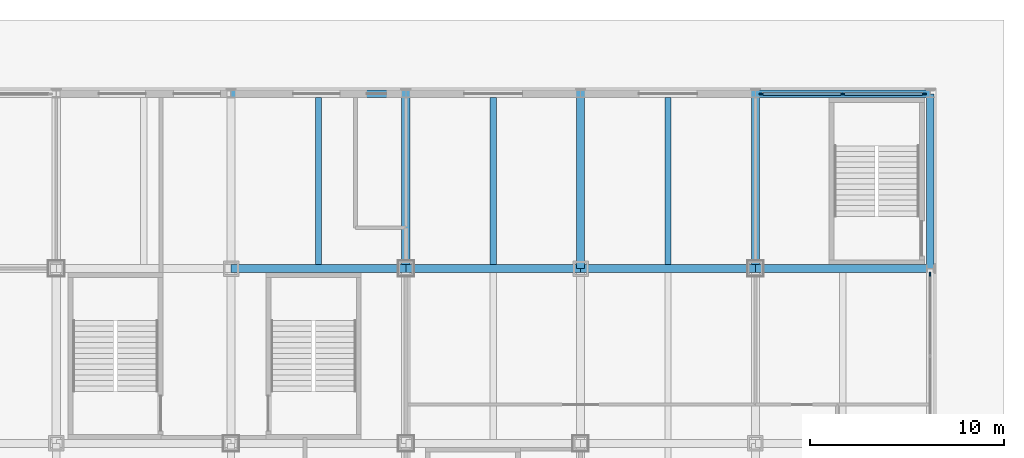
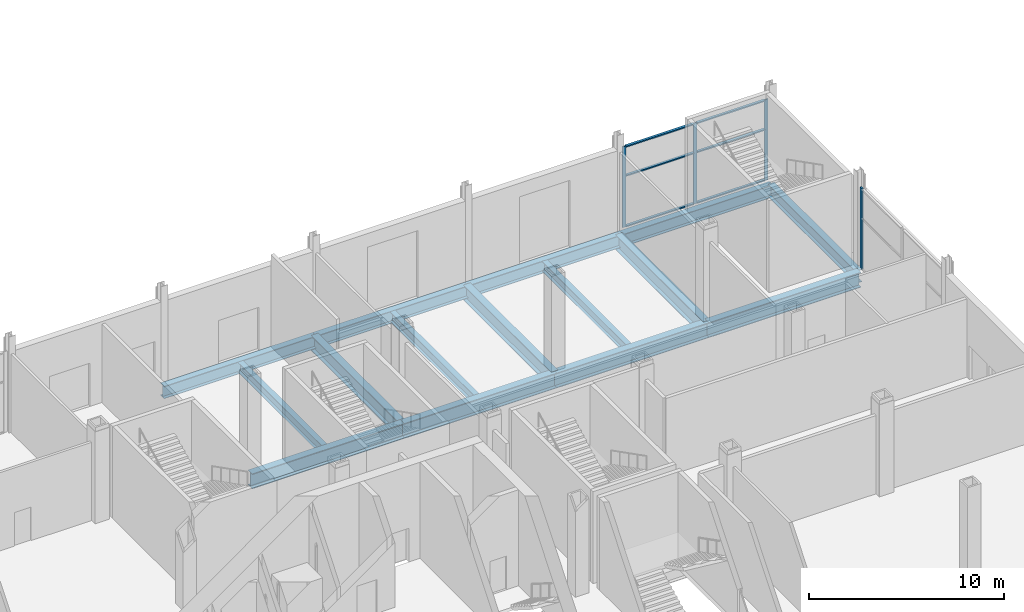
# One storey, part 15 of 34: 15 beams, 10 members, 2 elements without a shape of their own.
"""IFC4 building model written with IfcOpenShell, lengths in metres."""

import ifcopenshell
import ifcopenshell.guid

model = None  # the IFC model being written
_history = None  # IfcOwnerHistory: only IFC2X3 demands one
_inside = {}  # id of a spatial element -> (the spatial element, [elements in it])
_under = {}  # id of a project, library or spatial element -> (it, [spatial elements below it])
_declared = {}  # id of a project -> (the project, [libraries it declares])
_typed = {}  # id of a type object -> (the type object, [elements of that type])
_made_of = {}  # id of a material, layer set ... -> (it, [elements and type objects made of it])


def new_model(schema):
    """Start an empty IFC model of exactly this schema.

    Asked for "IFC4X3", IfcOpenShell would pick the latest addendum, in which some entities
    have other attributes; the version numbers below select the first issue.
    IFC2X3 requires an IfcOwnerHistory on every rooted entity: one is made here for all.
    """
    global model, _history
    if schema == "IFC4X3":
        model = ifcopenshell.file(schema_version=(4, 3, 0, 0))
    else:
        model = ifcopenshell.file(schema=schema)
    _inside.clear()
    _under.clear()
    _declared.clear()
    _typed.clear()
    _made_of.clear()
    _history = None
    if model.schema == "IFC2X3":
        org = make("IfcOrganization", Name="unknown")
        user = make(
            "IfcPersonAndOrganization",
            ThePerson=make("IfcPerson", FamilyName="unknown"),
            TheOrganization=org,
        )
        app = make(
            "IfcApplication",
            ApplicationDeveloper=org,
            Version="unknown",
            ApplicationFullName="unknown",
            ApplicationIdentifier="unknown",
        )
        _history = make(
            "IfcOwnerHistory",
            OwningUser=user,
            OwningApplication=app,
            ChangeAction="ADDED",
            CreationDate=0,
        )
    return model


def make(cls, **values):
    """One entity of the class cls with the attributes given. An attribute that is None is left unset."""
    return model.create_entity(
        cls, **{name: value for name, value in values.items() if value is not None}
    )


def rooted(cls, **values):
    """An entity with a GlobalId (a new one), such as an element, a storey or a relation."""
    return make(cls, GlobalId=ifcopenshell.guid.new(), OwnerHistory=_history, **values)


def si_unit(unit_type, name, prefix=None):
    """IfcSIUnit, for example si_unit("LENGTHUNIT", "METRE", prefix="MILLI")."""
    return make("IfcSIUnit", UnitType=unit_type, Prefix=prefix, Name=name)


def assignment(units):
    """IfcUnitAssignment: the units of a project."""
    return None if units is None else make("IfcUnitAssignment", Units=units)


def point(xyz):
    """IfcCartesianPoint."""
    return None if xyz is None else make("IfcCartesianPoint", Coordinates=xyz)


def direction(xyz):
    """IfcDirection."""
    return None if xyz is None else make("IfcDirection", DirectionRatios=xyz)


def frame(location, z_axis=None, x_axis=None):
    """IfcAxis2Placement3D, a coordinate frame: its origin and axes. An axis left out is left unset."""
    return make(
        "IfcAxis2Placement3D",
        Location=point(location),
        Axis=direction(z_axis),
        RefDirection=direction(x_axis),
    )


def frame_2d(location, x_axis=None):
    """IfcAxis2Placement2D, a coordinate frame in the plane: its origin and x axis."""
    return make(
        "IfcAxis2Placement2D", Location=point(location), RefDirection=direction(x_axis)
    )


def origin():
    """The frame at (0, 0, 0) with its axes left unset."""
    return frame((0.0, 0.0, 0.0))


def origin_2d():
    """The frame at (0, 0) in the plane with its x axis left unset."""
    return frame_2d((0.0, 0.0))


def place(relative_to, where):
    """IfcLocalPlacement: puts the frame where relative to a parent placement (None: the world)."""
    return make(
        "IfcLocalPlacement", PlacementRelTo=relative_to, RelativePlacement=where
    )


def context(
    kind, dimensions, precision=None, world=None, true_north=None, identifier=None
):
    """IfcGeometricRepresentationContext, for example the 3D "Model" context."""
    return make(
        "IfcGeometricRepresentationContext",
        ContextIdentifier=identifier,
        ContextType=kind,
        CoordinateSpaceDimension=dimensions,
        Precision=precision,
        WorldCoordinateSystem=world,
        TrueNorth=true_north,
    )


def subcontext(parent, identifier, kind, view, scale=None):
    """IfcGeometricRepresentationSubContext, for example "Body" below "Model"."""
    return make(
        "IfcGeometricRepresentationSubContext",
        ContextIdentifier=identifier,
        ContextType=kind,
        ParentContext=parent,
        TargetScale=scale,
        TargetView=view,
    )


def project(units=None, contexts=None):
    """IfcProject with its units and contexts."""
    return rooted(
        "IfcProject",
        Name="project",
        RepresentationContexts=contexts,
        UnitsInContext=assignment(units),
    )


def spatial(cls, under=None, at=None, **own):
    """A site, building, storey or space (cls), placed at a placement, below another one or the project."""
    s = rooted(cls, ObjectPlacement=at, **own)
    if under is not None:
        _under.setdefault(under.id(), (under, []))[1].append(s)
    return s


def profile(cls, at=None, kind="AREA", **sizes):
    """A parametric profile (cls). Its sizes go by their IFC names, for example OverallWidth=200.0."""
    return make(cls, ProfileType=kind, Position=at, **sizes)


def rectangle(**sizes):
    """IfcRectangleProfileDef."""
    return profile("IfcRectangleProfileDef", **sizes)


def i_section(**sizes):
    """IfcIShapeProfileDef."""
    return profile("IfcIShapeProfileDef", **sizes)


def extrude(swept, where, along, depth):
    """IfcExtrudedAreaSolid: the profile swept, set in the frame where, extruded along a direction by depth."""
    return make(
        "IfcExtrudedAreaSolid",
        SweptArea=swept,
        Position=where,
        ExtrudedDirection=direction(along),
        Depth=depth,
    )


def shape(context_of_items, identifier, shape_type, items):
    """IfcShapeRepresentation: the items that make up one representation, for example the "Body"."""
    return make(
        "IfcShapeRepresentation",
        ContextOfItems=context_of_items,
        RepresentationIdentifier=identifier,
        RepresentationType=shape_type,
        Items=items,
    )


def material(Name=None, Category=None):
    """IfcMaterial."""
    return make("IfcMaterial", Name=Name, Category=Category)


def material_profile(
    of_material, cross_section, Name=None, Category=None, Priority=None
):
    """IfcMaterialProfile: a cross section and its material."""
    return make(
        "IfcMaterialProfile",
        Name=Name,
        Material=of_material,
        Profile=cross_section,
        Priority=Priority,
        Category=Category,
    )


def profile_set(profiles, Name=None, composite=None):
    """IfcMaterialProfileSet."""
    return make(
        "IfcMaterialProfileSet",
        Name=Name,
        MaterialProfiles=profiles,
        CompositeProfile=composite,
    )


def made_of(thing, what):
    """Note that an element or type object is made of a material, layer set ...; save() writes the relation."""
    if what is not None:
        _made_of.setdefault(what.id(), (what, []))[1].append(thing)
    return thing


def type_object(cls, material=None, **own):
    """A type object (cls), such as IfcWallType, which elements share."""
    return made_of(rooted(cls, **own), material)


def element(
    cls,
    number,
    at=None,
    inside=None,
    cuts=None,
    type_object=None,
    material=None,
    context=None,
    identifier="Body",
    shape_type=None,
    held_by="IfcProductDefinitionShape",
    body=None,
    shapes=None,
    **own,
):
    """One element of the class cls, such as IfcWall. Its Tag is "e" and its number.

    at: its placement. inside: the storey or other place that contains it. cuts: it is an
    opening in that element (IfcRelVoidsElement). A single representation is given by context,
    identifier, shape_type and body (its items); several are given by shapes. held_by: the class
    of the entity that holds the representations. save() writes the other relations.
    """
    e = rooted(cls, Tag="e%d" % number, ObjectPlacement=at, **own)
    if body is not None:
        shapes = [shape(context, identifier, shape_type, body)]
    if shapes is not None:
        e.Representation = make(held_by, Representations=shapes)
    if inside is not None:
        _inside.setdefault(inside.id(), (inside, []))[1].append(e)
    if cuts is not None:
        rooted(
            "IfcRelVoidsElement", RelatingBuildingElement=cuts, RelatedOpeningElement=e
        )
    if type_object is not None:
        _typed.setdefault(type_object.id(), (type_object, []))[1].append(e)
    return made_of(e, material)


def aggregate(whole, parts):
    """IfcRelAggregates: a whole, such as a stair, and the parts it consists of."""
    return rooted("IfcRelAggregates", RelatingObject=whole, RelatedObjects=parts)


def save(model, path):
    """Write the relations noted so far, then the file.

    IfcRelAggregates (storeys below a building ...), IfcRelContainedInSpatialStructure (elements
    in a storey), IfcRelDefinesByType, IfcRelAssociatesMaterial and IfcRelDeclares: one each for
    every whole, place, type object, material and project.
    """
    for whole, parts in _under.values():
        aggregate(whole, parts)
    for where, things in _inside.values():
        rooted(
            "IfcRelContainedInSpatialStructure",
            RelatedElements=things,
            RelatingStructure=where,
        )
    for kind, things in _typed.values():
        rooted("IfcRelDefinesByType", RelatedObjects=things, RelatingType=kind)
    for what, things in _made_of.values():
        rooted("IfcRelAssociatesMaterial", RelatedObjects=things, RelatingMaterial=what)
    for by, libraries in _declared.values():
        rooted("IfcRelDeclares", RelatingContext=by, RelatedDefinitions=libraries)
    model.write(path)


model = new_model("IFC4")

# Units and contexts
model_context = context("Model", 3, precision=1e-05, world=origin(), true_north=direction((0.0, 1.0)))
body_context = subcontext(model_context, "Body", "Model", "MODEL_VIEW")
ifc_project = project(units=[si_unit("LENGTHUNIT", "METRE"), si_unit("AREAUNIT", "SQUARE_METRE"), si_unit("VOLUMEUNIT", "CUBIC_METRE"), si_unit("PLANEANGLEUNIT", "RADIAN"), si_unit("MASSUNIT", "GRAM", prefix="KILO")], contexts=[model_context])

# Site, building, storey
site_placement = place(None, origin())
site = spatial("IfcSite", under=ifc_project, at=site_placement, CompositionType="ELEMENT")
building_placement = place(site_placement, origin())
building = spatial("IfcBuilding", under=site, at=building_placement, Name="Loomwork Tower", CompositionType="ELEMENT")
storey_placement = place(building_placement, origin())
storey = spatial("IfcBuildingStorey", under=building, at=storey_placement, Name="L00", CompositionType="ELEMENT", Elevation=0.0)

# Beams
ifc_material_1 = material(Name="Steel ASTM A992", Category="steel")
ifc_material_profile_1 = material_profile(ifc_material_1, i_section(OverallWidth=0.381103515625, OverallDepth=0.77978515625, WebThickness=0.01806640625, FlangeThickness=0.0302734375, at=origin_2d()), Name="W30x191")
ifc_profile_set_1 = profile_set([ifc_material_profile_1], Name="Steel ASTM A992")
beam_type_1 = type_object("IfcBeamType", Name="EDGE GIRDER W30x191", PredefinedType="BEAM", material=ifc_profile_set_1)
for number, where, z_axis, x_axis, name in (
    (1, (27.0, 45.0, -0.68994140625), (1.0, 0.0, 0.0), (0.0, 1.0, 0.0), "Edge Girder J/5-J/6 L00"),
    (2, (36.0, 45.0, -0.68994140625), (1.0, 0.0, 0.0), (0.0, 1.0, 0.0), "Edge Girder J/6-J/7 L00"),
    (3, (45.0, 45.0, -0.68994140625), (1.0, 0.0, 0.0), (0.0, 1.0, 0.0), "Edge Girder J/7-J/8 L00"),
    (4, (54.0, 45.0, -0.68994140625), (1.0, 0.0, 0.0), (0.0, 1.0, 0.0), "Edge Girder J/8-J/9 L00"),
    (5, (63.0, 36.0, -0.68994140625), (0.0, 1.0, 0.0), (-1.0, 0.0, 0.0), "Edge Girder H/9-J/9 L00"),
):
    element("IfcBeam", number, at=place(storey_placement, frame(where, z_axis=z_axis, x_axis=x_axis)), inside=storey, type_object=beam_type_1, Name=name, PredefinedType="BEAM", context=body_context, shape_type="SweptSolid", body=[
        extrude(i_section(OverallWidth=0.381103515625, OverallDepth=0.77978515625, WebThickness=0.01806640625, FlangeThickness=0.0302734375, at=origin_2d()), origin(), (0.0, 0.0, 1.0), 9.0),
    ])
ifc_material_2 = material(Name="Steel ASTM A992", Category="steel")
ifc_material_profile_2 = material_profile(ifc_material_2, i_section(OverallWidth=0.3251953125, OverallDepth=0.612060546875, WebThickness=0.0126953125, FlangeThickness=0.01904296875, at=origin_2d()), Name="W24x104")
ifc_profile_set_2 = profile_set([ifc_material_profile_2], Name="Steel ASTM A992")
beam_type_2 = type_object("IfcBeamType", Name="FLOOR JOIST W24x104", PredefinedType="JOIST", material=ifc_profile_set_2)
for number, where, z_axis, x_axis, name in (
    (6, (31.5, 36.2119140625, -0.60595703125), (0.0, 1.0, 0.0), (-1.0, 0.0, 0.0), "Floor Joist 31.500,36.000-31.500,45.000 L00"),
    (7, (40.5, 36.2119140625, -0.60595703125), (0.0, 1.0, 0.0), (-1.0, 0.0, 0.0), "Floor Joist 40.500,36.000-40.500,45.000 L00"),
    (8, (49.5, 36.2119140625, -0.60595703125), (0.0, 1.0, 0.0), (-1.0, 0.0, 0.0), "Floor Joist 49.500,36.000-49.500,45.000 L00"),
):
    element("IfcBeam", number, at=place(storey_placement, frame(where, z_axis=z_axis, x_axis=x_axis)), inside=storey, type_object=beam_type_2, Name=name, PredefinedType="JOIST", context=body_context, shape_type="SweptSolid", body=[
        extrude(i_section(OverallWidth=0.3251953125, OverallDepth=0.612060546875, WebThickness=0.0126953125, FlangeThickness=0.01904296875, at=origin_2d()), origin(), (0.0, 0.0, 1.0), 8.59814453125),
    ])

# Curtain wall, members
ifc_material_3 = material(Name="Aluminium storefront frame", Category="aluminium")
curtain_wall_type = type_object("IfcCurtainWallType", Name="Storefront glazing", PredefinedType="NOTDEFINED", material=ifc_material_3)
curtain_wall_1_placement = place(storey_placement, origin())
curtain_wall_1 = element("IfcCurtainWall", 9, at=curtain_wall_1_placement, inside=storey, type_object=curtain_wall_type, Name="Storefront glazing cw/N-54", PredefinedType="NOTDEFINED")
ifc_material_4 = material(Name="Aluminium storefront frame", Category="aluminium")
ifc_material_profile_3 = material_profile(ifc_material_4, rectangle(XDim=0.074951171875, YDim=0.199951171875, at=origin_2d()), Name="AL 75x200")
ifc_profile_set_3 = profile_set([ifc_material_profile_3], Name="Aluminium storefront frame")
member_type_1 = type_object("IfcMemberType", Name="Storefront glazing mullion", PredefinedType="MULLION", material=ifc_profile_set_3)
member_1_placement = place(storey_placement, frame((62.69921875, 45.0, 0.0), z_axis=(0.0, 0.0, 1.0), x_axis=(0.0, -1.0, 0.0)))
member_1 = element("IfcMember", 10, at=member_1_placement, type_object=member_type_1, Name="CW7 mullion 1", PredefinedType="MULLION", context=body_context, shape_type="SweptSolid", body=[
    extrude(rectangle(XDim=0.074951171875, YDim=0.199951171875, at=origin_2d()), origin(), (0.0, 0.0, 1.0), 5.053955078125),
])
member_2_placement = place(storey_placement, frame((58.5, 45.0, 0.0), z_axis=(0.0, 0.0, 1.0), x_axis=(0.0, -1.0, 0.0)))
member_2 = element("IfcMember", 11, at=member_2_placement, type_object=member_type_1, Name="CW7 mullion 2", PredefinedType="MULLION", context=body_context, shape_type="SweptSolid", body=[
    extrude(rectangle(XDim=0.074951171875, YDim=0.199951171875, at=origin_2d()), origin(), (0.0, 0.0, 1.0), 5.053955078125),
])
member_3_placement = place(storey_placement, frame((54.30078125, 45.0, 0.0), z_axis=(0.0, 0.0, 1.0), x_axis=(0.0, -1.0, 0.0)))
member_3 = element("IfcMember", 12, at=member_3_placement, type_object=member_type_1, Name="CW7 mullion 3", PredefinedType="MULLION", context=body_context, shape_type="SweptSolid", body=[
    extrude(rectangle(XDim=0.074951171875, YDim=0.199951171875, at=origin_2d()), origin(), (0.0, 0.0, 1.0), 5.053955078125),
])

# Curtain wall, member
curtain_wall_2_placement = place(storey_placement, origin())
curtain_wall_2 = element("IfcCurtainWall", 13, at=curtain_wall_2_placement, inside=storey, type_object=curtain_wall_type, Name="Storefront glazing cw/E-27", PredefinedType="NOTDEFINED")
member_4_placement = place(storey_placement, frame((63.0, 35.69921875, 0.0), z_axis=(0.0, 0.0, 1.0), x_axis=(-1.0, 0.0, 0.0)))
member_4 = element("IfcMember", 14, at=member_4_placement, type_object=member_type_1, Name="CW7 mullion 3", PredefinedType="MULLION", context=body_context, shape_type="SweptSolid", body=[
    extrude(rectangle(XDim=0.074951171875, YDim=0.199951171875, at=origin_2d()), origin(), (0.0, 0.0, 1.0), 5.053955078125),
])
aggregate(curtain_wall_2, [member_4])

# Member
ifc_material_5 = material(Name="Aluminium storefront frame", Category="aluminium")
ifc_material_profile_4 = material_profile(ifc_material_5, rectangle(XDim=0.14990234375, YDim=0.074951171875, at=origin_2d()), Name="AL 75x150")
ifc_profile_set_4 = profile_set([ifc_material_profile_4], Name="Aluminium storefront frame")
member_type_2 = type_object("IfcMemberType", Name="Storefront glazing transom", PredefinedType="USERDEFINED", material=ifc_profile_set_4)
member_5_placement = place(storey_placement, frame((62.599365234375, 45.0, 0.03759765625), z_axis=(-1.0, 0.0, 0.0), x_axis=(0.0, -1.0, 0.0)))
member_5 = element("IfcMember", 15, at=member_5_placement, type_object=member_type_2, Name="CW7 transom 1.1", ObjectType="TRANSOM", PredefinedType="USERDEFINED", context=body_context, shape_type="SweptSolid", body=[
    extrude(rectangle(XDim=0.14990234375, YDim=0.074951171875, at=origin_2d()), origin(), (0.0, 0.0, 1.0), 3.999267578125),
])

member_6_placement = place(storey_placement, frame((62.599365234375, 45.0, 3.199951171875), z_axis=(-1.0, 0.0, 0.0), x_axis=(0.0, -1.0, 0.0)))
member_6 = element("IfcMember", 16, at=member_6_placement, type_object=member_type_2, Name="CW7 transom 1.2", ObjectType="TRANSOM", PredefinedType="USERDEFINED", context=body_context, shape_type="SweptSolid", body=[
    extrude(rectangle(XDim=0.14990234375, YDim=0.074951171875, at=origin_2d()), origin(), (0.0, 0.0, 1.0), 3.999267578125),
])

member_7_placement = place(storey_placement, frame((62.599365234375, 45.0, 5.0166015625), z_axis=(-1.0, 0.0, 0.0), x_axis=(0.0, -1.0, 0.0)))
member_7 = element("IfcMember", 17, at=member_7_placement, type_object=member_type_2, Name="CW7 transom 1.3", ObjectType="TRANSOM", PredefinedType="USERDEFINED", context=body_context, shape_type="SweptSolid", body=[
    extrude(rectangle(XDim=0.14990234375, YDim=0.074951171875, at=origin_2d()), origin(), (0.0, 0.0, 1.0), 3.999267578125),
])

member_8_placement = place(storey_placement, frame((58.39990234375, 45.0, 0.03759765625), z_axis=(-1.0, 0.0, 0.0), x_axis=(0.0, -1.0, 0.0)))
member_8 = element("IfcMember", 18, at=member_8_placement, type_object=member_type_2, Name="CW7 transom 2.1", ObjectType="TRANSOM", PredefinedType="USERDEFINED", context=body_context, shape_type="SweptSolid", body=[
    extrude(rectangle(XDim=0.14990234375, YDim=0.074951171875, at=origin_2d()), origin(), (0.0, 0.0, 1.0), 3.999267578125),
])

member_9_placement = place(storey_placement, frame((58.39990234375, 45.0, 3.199951171875), z_axis=(-1.0, 0.0, 0.0), x_axis=(0.0, -1.0, 0.0)))
member_9 = element("IfcMember", 19, at=member_9_placement, type_object=member_type_2, Name="CW7 transom 2.2", ObjectType="TRANSOM", PredefinedType="USERDEFINED", context=body_context, shape_type="SweptSolid", body=[
    extrude(rectangle(XDim=0.14990234375, YDim=0.074951171875, at=origin_2d()), origin(), (0.0, 0.0, 1.0), 3.999267578125),
])

member_10_placement = place(storey_placement, frame((58.39990234375, 45.0, 5.0166015625), z_axis=(-1.0, 0.0, 0.0), x_axis=(0.0, -1.0, 0.0)))
member_10 = element("IfcMember", 20, at=member_10_placement, type_object=member_type_2, Name="CW7 transom 2.3", ObjectType="TRANSOM", PredefinedType="USERDEFINED", context=body_context, shape_type="SweptSolid", body=[
    extrude(rectangle(XDim=0.14990234375, YDim=0.074951171875, at=origin_2d()), origin(), (0.0, 0.0, 1.0), 3.999267578125),
])

aggregate(curtain_wall_1, [member_1, member_2, member_3, member_5, member_6, member_7, member_8, member_9, member_10])

# Beams
ifc_material_6 = material(Name="Steel ASTM A992", Category="steel")
ifc_material_profile_5 = material_profile(ifc_material_6, i_section(OverallWidth=0.424072265625, OverallDepth=0.947509765625, WebThickness=0.02392578125, FlangeThickness=0.042724609375, at=origin_2d()), Name="W36x302")
ifc_profile_set_5 = profile_set([ifc_material_profile_5], Name="Steel ASTM A992")
beam_type_3 = type_object("IfcBeamType", Name="TRANSFER FLOOR GIRDER W36x302", PredefinedType="BEAM", material=ifc_profile_set_5)
for number, where, z_axis, x_axis, name in (
    (21, (27.0, 36.0, -0.773681640625), (1.0, 0.0, 0.0), (0.0, 1.0, 0.0), "Transfer Floor Girder H/5-H/6 L00"),
    (22, (36.0, 36.0, -0.773681640625), (1.0, 0.0, 0.0), (0.0, 1.0, 0.0), "Transfer Floor Girder H/6-H/7 L00"),
    (23, (45.0, 36.0, -0.773681640625), (1.0, 0.0, 0.0), (0.0, 1.0, 0.0), "Transfer Floor Girder H/7-H/8 L00"),
    (24, (54.0, 36.0, -0.773681640625), (1.0, 0.0, 0.0), (0.0, 1.0, 0.0), "Transfer Floor Girder H/8-H/9 L00"),
    (25, (36.0, 36.0, -0.773681640625), (0.0, 1.0, 0.0), (-1.0, 0.0, 0.0), "Transfer Floor Girder H/6-J/6 L00"),
    (26, (45.0, 36.0, -0.773681640625), (0.0, 1.0, 0.0), (-1.0, 0.0, 0.0), "Transfer Floor Girder H/7-J/7 L00"),
    (27, (54.0, 36.0, -0.773681640625), (0.0, 1.0, 0.0), (-1.0, 0.0, 0.0), "Transfer Floor Girder H/8-J/8 L00"),
):
    element("IfcBeam", number, at=place(storey_placement, frame(where, z_axis=z_axis, x_axis=x_axis)), inside=storey, type_object=beam_type_3, Name=name, PredefinedType="BEAM", context=body_context, shape_type="SweptSolid", body=[
        extrude(i_section(OverallWidth=0.424072265625, OverallDepth=0.947509765625, WebThickness=0.02392578125, FlangeThickness=0.042724609375, at=origin_2d()), origin(), (0.0, 0.0, 1.0), 9.0),
    ])

save(model, "model.ifc")
